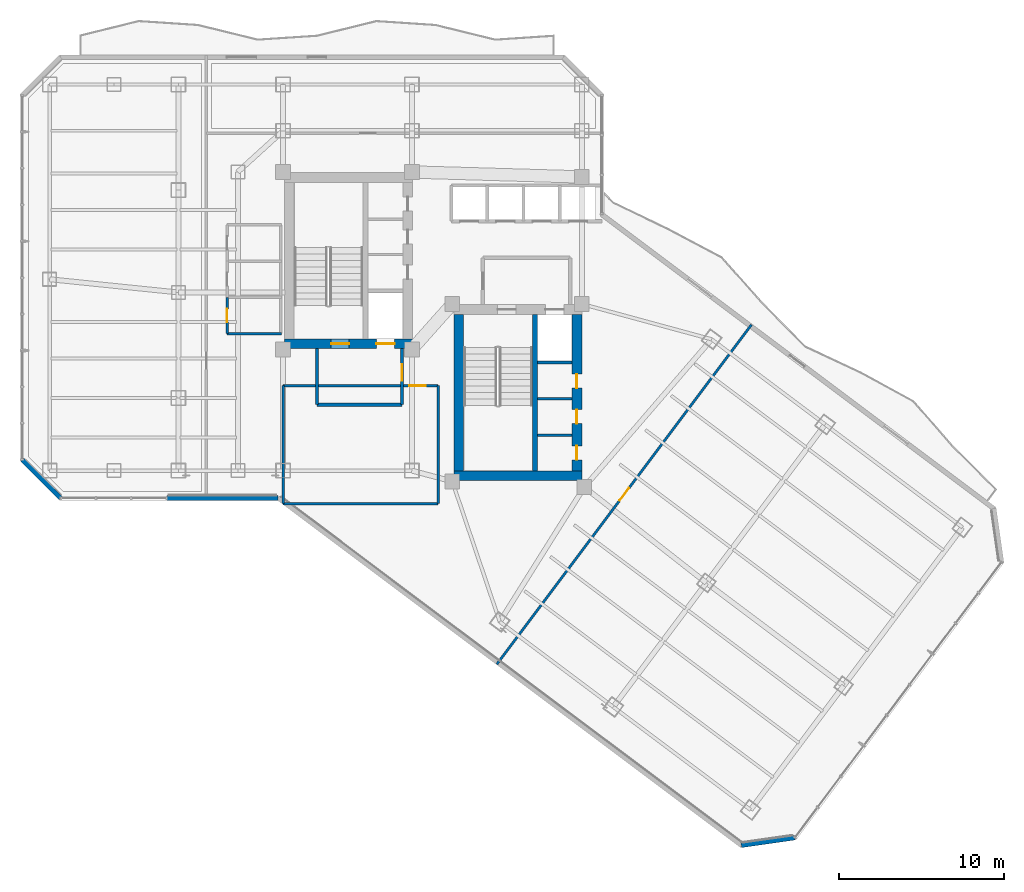
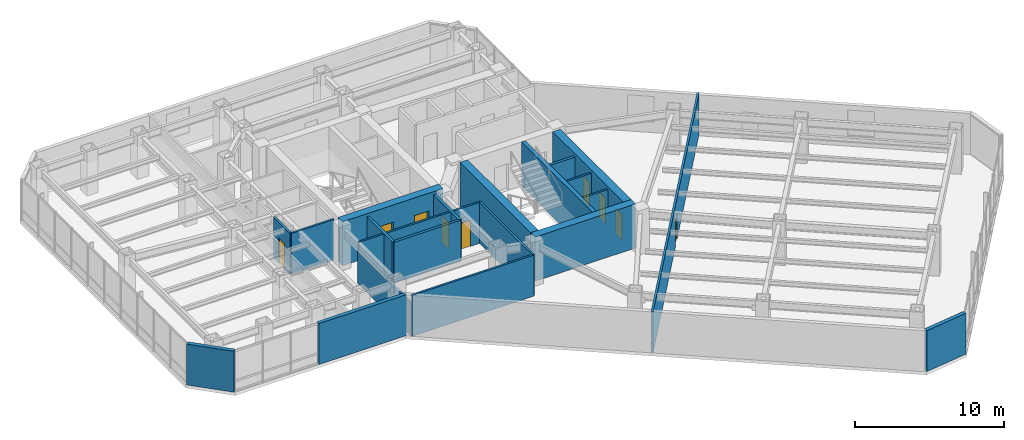
# One storey, part 22 of 29: 21 walls, 9 doors, 9 openings.
"""IFC4 building model written with IfcOpenShell, lengths in metres."""

from ifc_helpers import new_model, si_unit, direction, frame, frame_2d, origin, place, context, subcontext, project, spatial, rectangle, extrude, material, layer, layer_set, type_object, element, fill, save


model = new_model("IFC4")

# Units and contexts
model_context = context("Model", 3, precision=1e-05, world=origin(), true_north=direction((0.0, 1.0)))
body_context = subcontext(model_context, "Body", "Model", "MODEL_VIEW")
ifc_project = project(units=[si_unit("LENGTHUNIT", "METRE"), si_unit("AREAUNIT", "SQUARE_METRE"), si_unit("VOLUMEUNIT", "CUBIC_METRE"), si_unit("PLANEANGLEUNIT", "RADIAN"), si_unit("MASSUNIT", "GRAM", prefix="KILO")], contexts=[model_context])

# Site, building, storey
site_placement = place(None, origin())
site = spatial("IfcSite", under=ifc_project, at=site_placement, CompositionType="ELEMENT")
building_placement = place(site_placement, origin())
building = spatial("IfcBuilding", under=site, at=building_placement, Name="Hatsunagi Terrace Concourse", CompositionType="ELEMENT")
storey_placement = place(building_placement, frame((0.0, 0.0, 115.64990234375)))
storey = spatial("IfcBuildingStorey", under=building, at=storey_placement, Name="L30", CompositionType="ELEMENT", Elevation=115.64990234375)

# Wall, openings, doors
ifc_material_1 = material(Name="Concrete Fc48", Category="concrete")
ifc_layer_1 = layer(ifc_material_1, 0.60009765625)
ifc_layer_set_1 = layer_set([ifc_layer_1], Name="CoreShearWall_Fc48_600")
wall_type_1 = type_object("IfcWallType", Name="CoreShearWall_Fc48_600", PredefinedType="SHEAR", material=ifc_layer_set_1)
wall_1_placement = place(storey_placement, frame((25.6201171875, 32.889892578125, 0.0), z_axis=(0.0, 0.0, 1.0), x_axis=(1.0, 0.0, 0.0)))
wall_1 = element("IfcWall", 1, at=wall_1_placement, inside=storey, type_object=wall_type_1, Name="Core A Shear Wall S L30", PredefinedType="SHEAR", context=body_context, shape_type="SweptSolid", body=[
    extrude(rectangle(XDim=7.77978515625, YDim=0.60009765625, at=frame_2d((3.889892578125, 0.0))), origin(), (0.0, 0.0, 1.0), 3.60009765625),
])
opening_1_placement = place(wall_1_placement, frame((2.830078125, 0.0, 0.0)))
opening_1 = element("IfcOpeningElement", 2, at=opening_1_placement, cuts=wall_1, Name="Opening DR-110S", PredefinedType="OPENING", context=body_context, shape_type="SweptSolid", body=[
    extrude(rectangle(XDim=1.10009765625, YDim=2.199951171875, at=frame_2d((0.550048828125, 1.10009765625))), frame((0.0, 0.31005859375, 0.0), z_axis=(0.0, -1.0, 0.0), x_axis=(1.0, 0.0, 0.0)), (0.0, 0.0, 1.0), 0.6201171875),
])
opening_2_placement = place(wall_1_placement, frame((5.580078125, 0.0, 0.0)))
opening_2 = element("IfcOpeningElement", 3, at=opening_2_placement, cuts=wall_1, Name="Opening LD-01", PredefinedType="OPENING", context=body_context, shape_type="SweptSolid", body=[
    extrude(rectangle(XDim=1.10009765625, YDim=2.14990234375, at=frame_2d((0.550048828125, 1.074951171875))), frame((0.0, 0.31005859375, 0.0), z_axis=(0.0, -1.0, 0.0), x_axis=(1.0, 0.0, 0.0)), (0.0, 0.0, 1.0), 0.6201171875),
])
ifc_material_2 = material(Name="Stainless steel", Category="steel")
door_type_1 = type_object("IfcDoorType", Name="LiftLandingDoor_LD01", OperationType="SLIDING_TO_LEFT", PredefinedType="USERDEFINED", material=ifc_material_2)
door_1_placement = place(opening_2_placement, origin())
door_1 = element("IfcDoor", 4, at=door_1_placement, inside=storey, type_object=door_type_1, Name="Lift landing door FF-01 L30", ObjectType="SLIDING_LANDING_DOOR", OperationType="SLIDING_TO_LEFT", OverallHeight=2.14990234375, OverallWidth=1.10009765625, PredefinedType="USERDEFINED", context=body_context, shape_type="SweptSolid", body=[
    extrude(rectangle(XDim=1.10009765625, YDim=2.14990234375, at=frame_2d((0.550048828125, 1.074951171875))), frame((0.0, 0.02490234375, 0.0), z_axis=(0.0, -1.0, 0.0), x_axis=(1.0, 0.0, 0.0)), (0.0, 0.0, 1.0), 0.050048828125),
])
fill(opening_2, door_1)
ifc_material_3 = material(Name="Painted steel", Category="steel")
door_type_2 = type_object("IfcDoorType", Name="StairFireDoor_EI60_1100", OperationType="NOTDEFINED", PredefinedType="DOOR", material=ifc_material_3)
door_2_placement = place(opening_1_placement, origin())
door_2 = element("IfcDoor", 5, at=door_2_placement, inside=storey, type_object=door_type_2, Name="Stair ST-A Exit Door L30", OperationType="SINGLE_SWING_LEFT", OverallHeight=2.199951171875, OverallWidth=1.10009765625, PredefinedType="DOOR", context=body_context, shape_type="SweptSolid", body=[
    extrude(rectangle(XDim=1.10009765625, YDim=2.199951171875, at=frame_2d((0.550048828125, 1.10009765625))), frame((0.0, 0.02490234375, 0.0), z_axis=(0.0, -1.0, 0.0), x_axis=(1.0, 0.0, 0.0)), (0.0, 0.0, 1.0), 0.050048828125),
])
fill(opening_1, door_2)

# Walls
wall_2_placement = place(storey_placement, frame((35.889892578125, 24.889892578125, 0.0), z_axis=(0.0, 0.0, 1.0), x_axis=(1.0, 0.0, 0.0)))
element("IfcWall", 6, at=wall_2_placement, inside=storey, type_object=wall_type_1, Name="Core B Shear Wall S L30", PredefinedType="SHEAR", context=body_context, shape_type="SweptSolid", body=[
    extrude(rectangle(XDim=7.760009765625, YDim=0.60009765625, at=frame_2d((3.8798828125, 0.0))), origin(), (0.0, 0.0, 1.0), 3.60009765625),
])
wall_3_placement = place(storey_placement, frame((36.18994140625, 25.18994140625, 0.0), z_axis=(0.0, 0.0, 1.0), x_axis=(0.0, 1.0, 0.0)))
element("IfcWall", 7, at=wall_3_placement, inside=storey, type_object=wall_type_1, Name="Core B Shear Wall W L30", PredefinedType="SHEAR", context=body_context, shape_type="SweptSolid", body=[
    extrude(rectangle(XDim=9.47998046875, YDim=0.60009765625, at=frame_2d((4.739990234375, 0.0))), origin(), (0.0, 0.0, 1.0), 3.60009765625),
])

# Wall, openings, doors
wall_4_placement = place(storey_placement, frame((43.35009765625, 25.18994140625, 0.0), z_axis=(0.0, 0.0, 1.0), x_axis=(0.0, 1.0, 0.0)))
wall_4 = element("IfcWall", 8, at=wall_4_placement, inside=storey, type_object=wall_type_1, Name="Core B Shear Wall E L30", PredefinedType="SHEAR", context=body_context, shape_type="SweptSolid", body=[
    extrude(rectangle(XDim=9.47998046875, YDim=0.60009765625, at=frame_2d((4.739990234375, 0.0))), origin(), (0.0, 0.0, 1.0), 3.60009765625),
])
opening_3_placement = place(wall_4_placement, frame((0.659912109375, 0.0, 0.0)))
opening_3 = element("IfcOpeningElement", 9, at=opening_3_placement, cuts=wall_4, Name="Opening DR-085", PredefinedType="OPENING", context=body_context, shape_type="SweptSolid", body=[
    extrude(rectangle(XDim=0.85009765625, YDim=2.080078125, at=frame_2d((0.425048828125, 1.0400390625))), frame((0.0, 0.31005859375, 0.0), z_axis=(0.0, -1.0, 0.0), x_axis=(1.0, 0.0, 0.0)), (0.0, 0.0, 1.0), 0.6201171875),
])
opening_4_placement = place(wall_4_placement, frame((2.860107421875, 0.0, 0.0)))
opening_4 = element("IfcOpeningElement", 10, at=opening_4_placement, cuts=wall_4, Name="Opening DR-085", PredefinedType="OPENING", context=body_context, shape_type="SweptSolid", body=[
    extrude(rectangle(XDim=0.85009765625, YDim=2.080078125, at=frame_2d((0.425048828125, 1.0400390625))), frame((0.0, 0.31005859375, 0.0), z_axis=(0.0, -1.0, 0.0), x_axis=(1.0, 0.0, 0.0)), (0.0, 0.0, 1.0), 0.6201171875),
])
opening_5_placement = place(wall_4_placement, frame((5.010009765625, 0.0, 0.0)))
opening_5 = element("IfcOpeningElement", 11, at=opening_5_placement, cuts=wall_4, Name="Opening DR-085", PredefinedType="OPENING", context=body_context, shape_type="SweptSolid", body=[
    extrude(rectangle(XDim=0.85009765625, YDim=2.080078125, at=frame_2d((0.425048828125, 1.0400390625))), frame((0.0, 0.31005859375, 0.0), z_axis=(0.0, -1.0, 0.0), x_axis=(1.0, 0.0, 0.0)), (0.0, 0.0, 1.0), 0.6201171875),
])
ifc_material_4 = material(Name="Painted steel", Category="steel")
door_type_3 = type_object("IfcDoorType", Name="RiserAccessDoor_EI60_850", OperationType="NOTDEFINED", PredefinedType="DOOR", material=ifc_material_4)
door_3_placement = place(opening_3_placement, origin())
door_3 = element("IfcDoor", 12, at=door_3_placement, inside=storey, type_object=door_type_3, Name="Core B Riser Door L30-1", OperationType="SINGLE_SWING_RIGHT", OverallHeight=2.080078125, OverallWidth=0.85009765625, PredefinedType="DOOR", context=body_context, shape_type="SweptSolid", body=[
    extrude(rectangle(XDim=0.85009765625, YDim=2.080078125, at=frame_2d((0.425048828125, 1.0400390625))), frame((0.0, 0.02490234375, 0.0), z_axis=(0.0, -1.0, 0.0), x_axis=(1.0, 0.0, 0.0)), (0.0, 0.0, 1.0), 0.050048828125),
])
fill(opening_3, door_3)
door_4_placement = place(opening_4_placement, origin())
door_4 = element("IfcDoor", 13, at=door_4_placement, inside=storey, type_object=door_type_3, Name="Core B Riser Door L30-2", OperationType="SINGLE_SWING_RIGHT", OverallHeight=2.080078125, OverallWidth=0.85009765625, PredefinedType="DOOR", context=body_context, shape_type="SweptSolid", body=[
    extrude(rectangle(XDim=0.85009765625, YDim=2.080078125, at=frame_2d((0.425048828125, 1.0400390625))), frame((0.0, 0.02490234375, 0.0), z_axis=(0.0, -1.0, 0.0), x_axis=(1.0, 0.0, 0.0)), (0.0, 0.0, 1.0), 0.050048828125),
])
fill(opening_4, door_4)
door_5_placement = place(opening_5_placement, origin())
door_5 = element("IfcDoor", 14, at=door_5_placement, inside=storey, type_object=door_type_3, Name="Core B Riser Door L30-3", OperationType="SINGLE_SWING_RIGHT", OverallHeight=2.080078125, OverallWidth=0.85009765625, PredefinedType="DOOR", context=body_context, shape_type="SweptSolid", body=[
    extrude(rectangle(XDim=0.85009765625, YDim=2.080078125, at=frame_2d((0.425048828125, 1.0400390625))), frame((0.0, 0.02490234375, 0.0), z_axis=(0.0, -1.0, 0.0), x_axis=(1.0, 0.0, 0.0)), (0.0, 0.0, 1.0), 0.050048828125),
])
fill(opening_5, door_5)

# Walls
ifc_material_5 = material(Name="Concrete Fc48", Category="concrete")
ifc_layer_2 = layer(ifc_material_5, 0.300048828125)
ifc_layer_set_2 = layer_set([ifc_layer_2], Name="CoreStairDivider_Fc48_300")
wall_type_2 = type_object("IfcWallType", Name="CoreStairDivider_Fc48_300", PredefinedType="SHEAR", material=ifc_layer_set_2)
wall_5_placement = place(storey_placement, frame((40.81005859375, 25.18994140625, 0.0), z_axis=(0.0, 0.0, 1.0), x_axis=(0.0, 1.0, 0.0)))
element("IfcWall", 15, at=wall_5_placement, inside=storey, type_object=wall_type_2, Name="Core B Shear Wall D L30", PredefinedType="SHEAR", context=body_context, shape_type="SweptSolid", body=[
    extrude(rectangle(XDim=9.47998046875, YDim=0.300048828125, at=frame_2d((4.739990234375, 0.0))), origin(), (0.0, 0.0, 1.0), 3.60009765625),
])
ifc_material_6 = material(Name="Acoustic mineral board", Category="gypsum")
ifc_layer_3 = layer(ifc_material_6, 0.14990234375)
ifc_layer_set_3 = layer_set([ifc_layer_3], Name="PartitionWall_EI60_150")
wall_type_3 = type_object("IfcWallType", Name="PartitionWall_EI60_150", PredefinedType="PARTITIONING", material=ifc_layer_set_3)
for number, where, z_axis, x_axis, name in (
    (16, (40.969970703125, 27.35009765625, 0.0), (0.0, 0.0, 1.0), (1.0, 0.0, 0.0), "Interior Partition IW-L30-005"),
    (17, (40.969970703125, 29.550048828125, 0.0), (0.0, 0.0, 1.0), (1.0, 0.0, 0.0), "Interior Partition IW-L30-006"),
):
    element("IfcWall", number, at=place(storey_placement, frame(where, z_axis=z_axis, x_axis=x_axis)), inside=storey, type_object=wall_type_3, Name=name, PredefinedType="PARTITIONING", context=body_context, shape_type="SweptSolid", body=[
        extrude(rectangle(XDim=2.080078125, YDim=0.14990234375, at=frame_2d((1.0400390625, 0.0))), origin(), (0.0, 0.0, 1.0), 3.35009765625),
    ])
wall_6_placement = place(storey_placement, frame((22.14990234375, 33.5, 0.0), z_axis=(0.0, 0.0, 1.0), x_axis=(1.0, 0.0, 0.0)))
element("IfcWall", 18, at=wall_6_placement, inside=storey, type_object=wall_type_3, Name="Interior Partition IW-L30-019", PredefinedType="PARTITIONING", context=body_context, shape_type="SweptSolid", body=[
    extrude(rectangle(XDim=3.300048828125, YDim=0.14990234375, at=frame_2d((1.64990234375, 0.0))), origin(), (0.0, 0.0, 1.0), 3.35009765625),
])

# Wall, opening, door
wall_7_placement = place(storey_placement, frame((22.14990234375, 33.5, 0.0), z_axis=(0.0, 0.0, 1.0), x_axis=(0.0, 1.0, 0.0)))
wall_7 = element("IfcWall", 19, at=wall_7_placement, inside=storey, type_object=wall_type_3, Name="Interior Partition IW-L30-024", PredefinedType="PARTITIONING", context=body_context, shape_type="SweptSolid", body=[
    extrude(rectangle(XDim=2.199951171875, YDim=0.14990234375, at=frame_2d((1.10009765625, 0.0))), origin(), (0.0, 0.0, 1.0), 3.35009765625),
])
opening_6_placement = place(wall_7_placement, frame((0.699951171875, 0.0, 0.0)))
opening_6 = element("IfcOpeningElement", 20, at=opening_6_placement, cuts=wall_7, Name="Opening DR-080", PredefinedType="OPENING", context=body_context, shape_type="SweptSolid", body=[
    extrude(rectangle(XDim=0.800048828125, YDim=2.06005859375, at=frame_2d((0.39990234375, 1.030029296875))), frame((0.0, 0.0849609375, 0.0), z_axis=(0.0, -1.0, 0.0), x_axis=(1.0, 0.0, 0.0)), (0.0, 0.0, 1.0), 0.169921875),
])
ifc_material_7 = material(Name="Hardwood timber", Category="wood")
door_type_4 = type_object("IfcDoorType", Name="BathroomDoor_800", OperationType="NOTDEFINED", PredefinedType="DOOR", material=ifc_material_7)
door_6_placement = place(opening_6_placement, origin())
door_6 = element("IfcDoor", 21, at=door_6_placement, inside=storey, type_object=door_type_4, Name="Accessible WC Door L30", OperationType="SINGLE_SWING_RIGHT", OverallHeight=2.06005859375, OverallWidth=0.800048828125, PredefinedType="DOOR", context=body_context, shape_type="SweptSolid", body=[
    extrude(rectangle(XDim=0.800048828125, YDim=2.06005859375, at=frame_2d((0.39990234375, 1.030029296875))), frame((0.0, 0.02490234375, 0.0), z_axis=(0.0, -1.0, 0.0), x_axis=(1.0, 0.0, 0.0)), (0.0, 0.0, 1.0), 0.050048828125),
])
fill(opening_6, door_6)

# Wall
wall_8_placement = place(storey_placement, frame((25.550048828125, 23.199951171875, 0.0), z_axis=(0.0, 0.0, 1.0), x_axis=(1.0, 0.0, 0.0)))
element("IfcWall", 22, at=wall_8_placement, inside=storey, type_object=wall_type_3, Name="Interior Partition IW-L30-027", PredefinedType="PARTITIONING", context=body_context, shape_type="SweptSolid", body=[
    extrude(rectangle(XDim=9.39990234375, YDim=0.14990234375, at=frame_2d((4.699951171875, 0.0))), origin(), (0.0, 0.0, 1.0), 3.35009765625),
])

# Wall, opening, door
wall_9_placement = place(storey_placement, frame((25.550048828125, 30.35009765625, 0.0), z_axis=(0.0, 0.0, 1.0), x_axis=(1.0, 0.0, 0.0)))
wall_9 = element("IfcWall", 23, at=wall_9_placement, inside=storey, type_object=wall_type_3, Name="Interior Partition IW-L30-028", PredefinedType="PARTITIONING", context=body_context, shape_type="SweptSolid", body=[
    extrude(rectangle(XDim=9.39990234375, YDim=0.14990234375, at=frame_2d((4.699951171875, 0.0))), origin(), (0.0, 0.0, 1.0), 3.35009765625),
])
opening_7_placement = place(wall_9_placement, frame((7.637939453125, 0.0, 0.0)))
opening_7 = element("IfcOpeningElement", 24, at=opening_7_placement, cuts=wall_9, Name="Opening DR-100S", PredefinedType="OPENING", context=body_context, shape_type="SweptSolid", body=[
    extrude(rectangle(XDim=1.0, YDim=2.14990234375, at=frame_2d((0.5, 1.074951171875))), frame((0.0, 0.0849609375, 0.0), z_axis=(0.0, -1.0, 0.0), x_axis=(1.0, 0.0, 0.0)), (0.0, 0.0, 1.0), 0.169921875),
])
ifc_material_8 = material(Name="Hardwood timber", Category="wood")
door_type_5 = type_object("IfcDoorType", Name="SuiteDoor_EI30_1000", OperationType="NOTDEFINED", PredefinedType="DOOR", material=ifc_material_8)
door_7_placement = place(opening_7_placement, origin())
door_7 = element("IfcDoor", 25, at=door_7_placement, inside=storey, type_object=door_type_5, Name="Design Studio L30-RECL1 Door", OperationType="SINGLE_SWING_RIGHT", OverallHeight=2.14990234375, OverallWidth=1.0, PredefinedType="DOOR", context=body_context, shape_type="SweptSolid", body=[
    extrude(rectangle(XDim=1.0, YDim=2.14990234375, at=frame_2d((0.5, 1.074951171875))), frame((0.0, 0.02490234375, 0.0), z_axis=(0.0, -1.0, 0.0), x_axis=(1.0, 0.0, 0.0)), (0.0, 0.0, 1.0), 0.050048828125),
])
fill(opening_7, door_7)

# Walls
wall_10_placement = place(storey_placement, frame((25.550048828125, 23.199951171875, 0.0), z_axis=(0.0, 0.0, 1.0), x_axis=(0.0, 1.0, 0.0)))
element("IfcWall", 26, at=wall_10_placement, inside=storey, type_object=wall_type_3, Name="Interior Partition IW-L30-029", PredefinedType="PARTITIONING", context=body_context, shape_type="SweptSolid", body=[
    extrude(rectangle(XDim=7.150146484375, YDim=0.14990234375, at=frame_2d((3.5751953125, 0.0))), origin(), (0.0, 0.0, 1.0), 2.695068359375),
])
wall_11_placement = place(storey_placement, frame((34.949951171875, 23.199951171875, 0.0), z_axis=(0.0, 0.0, 1.0), x_axis=(0.0, 1.0, 0.0)))
element("IfcWall", 27, at=wall_11_placement, inside=storey, type_object=wall_type_3, Name="Interior Partition IW-L30-030", PredefinedType="PARTITIONING", context=body_context, shape_type="SweptSolid", body=[
    extrude(rectangle(XDim=7.150146484375, YDim=0.14990234375, at=frame_2d((3.5751953125, 0.0))), origin(), (0.0, 0.0, 1.0), 3.35009765625),
])

# Wall, opening, door
wall_12_placement = place(storey_placement, frame((38.50390625, 13.471923828125, 0.0), z_axis=(0.0, 0.0, 1.0), x_axis=(0.6, 0.8, 0.0)))
wall_12 = element("IfcWall", 28, at=wall_12_placement, inside=storey, type_object=wall_type_3, Name="Interior Partition IW-L30-033", PredefinedType="PARTITIONING", context=body_context, shape_type="SweptSolid", body=[
    extrude(rectangle(XDim=25.72021484375, YDim=0.14990234375, at=frame_2d((12.860107421875, 0.0))), origin(), (0.0, 0.0, 1.0), 3.35009765625),
])
opening_8_placement = place(wall_12_placement, frame((12.385009765625, 0.0, 0.0)))
opening_8 = element("IfcOpeningElement", 29, at=opening_8_placement, cuts=wall_12, Name="Opening DR-095", PredefinedType="OPENING", context=body_context, shape_type="SweptSolid", body=[
    extrude(rectangle(XDim=0.949951171875, YDim=2.14990234375, at=frame_2d((0.47509765625, 1.074951171875))), frame((0.0, 0.0849609375, 0.0), z_axis=(0.0, -1.0, 0.0), x_axis=(1.0, 0.0, 0.0)), (0.0, 0.0, 1.0), 0.169921875),
])
ifc_material_9 = material(Name="Hardwood timber", Category="wood")
door_type_6 = type_object("IfcDoorType", Name="InteriorSuiteDoor_EI30_950", OperationType="NOTDEFINED", PredefinedType="DOOR", material=ifc_material_9)
door_8_placement = place(opening_8_placement, origin())
door_8 = element("IfcDoor", 30, at=door_8_placement, inside=storey, type_object=door_type_6, Name="Design Studio L30-OSE1 Door", OperationType="SINGLE_SWING_RIGHT", OverallHeight=2.14990234375, OverallWidth=0.949951171875, PredefinedType="DOOR", context=body_context, shape_type="SweptSolid", body=[
    extrude(rectangle(XDim=0.949951171875, YDim=2.14990234375, at=frame_2d((0.47509765625, 1.074951171875))), frame((0.0, 0.02490234375, 0.0), z_axis=(0.0, -1.0, 0.0), x_axis=(1.0, 0.0, 0.0)), (0.0, 0.0, 1.0), 0.050048828125),
])
fill(opening_8, door_8)

# Walls
ifc_material_10 = material(Name="Acoustic mineral board", Category="gypsum")
ifc_layer_4 = layer(ifc_material_10, 0.199951171875)
ifc_layer_set_4 = layer_set([ifc_layer_4], Name="ShaftWall_EI120_200")
wall_type_4 = type_object("IfcWallType", Name="ShaftWall_EI120_200", PredefinedType="STANDARD", material=ifc_layer_set_4)
wall_13_placement = place(storey_placement, frame((40.969970703125, 31.760009765625, 0.0), z_axis=(0.0, 0.0, 1.0), x_axis=(1.0, 0.0, 0.0)))
element("IfcWall", 31, at=wall_13_placement, inside=storey, type_object=wall_type_4, Name="Interior Partition IW-L30-004", PredefinedType="STANDARD", context=body_context, shape_type="SweptSolid", body=[
    extrude(rectangle(XDim=2.080078125, YDim=0.199951171875, at=frame_2d((1.0400390625, 0.0))), origin(), (0.0, 0.0, 1.0), 3.35009765625),
])
wall_14_placement = place(storey_placement, frame((27.60009765625, 29.199951171875, 0.0), z_axis=(0.0, 0.0, 1.0), x_axis=(1.0, 0.0, 0.0)))
element("IfcWall", 32, at=wall_14_placement, inside=storey, type_object=wall_type_4, Name="Interior Partition IW-L30-007", PredefinedType="STANDARD", context=body_context, shape_type="SweptSolid", body=[
    extrude(rectangle(XDim=5.14990234375, YDim=0.199951171875, at=frame_2d((2.574951171875, 0.0))), origin(), (0.0, 0.0, 1.0), 3.35009765625),
])
wall_15_placement = place(storey_placement, frame((27.60009765625, 29.199951171875, 0.0), z_axis=(0.0, 0.0, 1.0), x_axis=(0.0, 1.0, 0.0)))
element("IfcWall", 33, at=wall_15_placement, inside=storey, type_object=wall_type_4, Name="Interior Partition IW-L30-008", PredefinedType="STANDARD", context=body_context, shape_type="SweptSolid", body=[
    extrude(rectangle(XDim=3.39013671875, YDim=0.199951171875, at=frame_2d((1.695068359375, 0.0))), origin(), (0.0, 0.0, 1.0), 3.35009765625),
])

# Wall, opening, door
wall_16_placement = place(storey_placement, frame((32.75, 29.199951171875, 0.0), z_axis=(0.0, 0.0, 1.0), x_axis=(0.0, 1.0, 0.0)))
wall_16 = element("IfcWall", 34, at=wall_16_placement, inside=storey, type_object=wall_type_4, Name="Interior Partition IW-L30-009", PredefinedType="STANDARD", context=body_context, shape_type="SweptSolid", body=[
    extrude(rectangle(XDim=3.39013671875, YDim=0.199951171875, at=frame_2d((1.695068359375, 0.0))), origin(), (0.0, 0.0, 1.0), 3.35009765625),
])
opening_9_placement = place(wall_16_placement, frame((1.449951171875, 0.0, 0.0)))
opening_9 = element("IfcOpeningElement", 35, at=opening_9_placement, cuts=wall_16, Name="Opening DR-100F", PredefinedType="OPENING", context=body_context, shape_type="SweptSolid", body=[
    extrude(rectangle(XDim=1.0, YDim=2.199951171875, at=frame_2d((0.5, 1.10009765625))), frame((0.0, 0.10986328125, 0.0), z_axis=(0.0, -1.0, 0.0), x_axis=(1.0, 0.0, 0.0)), (0.0, 0.0, 1.0), 0.219970703125),
])
ifc_material_11 = material(Name="Painted steel", Category="steel")
door_type_7 = type_object("IfcDoorType", Name="FireDoor_EI60_1000", OperationType="NOTDEFINED", PredefinedType="DOOR", material=ifc_material_11)
door_9_placement = place(opening_9_placement, origin())
door_9 = element("IfcDoor", 36, at=door_9_placement, inside=storey, type_object=door_type_7, Name="Firefighting Lobby A Door L30", OperationType="SINGLE_SWING_RIGHT", OverallHeight=2.199951171875, OverallWidth=1.0, PredefinedType="DOOR", context=body_context, shape_type="SweptSolid", body=[
    extrude(rectangle(XDim=1.0, YDim=2.199951171875, at=frame_2d((0.5, 1.10009765625))), frame((0.0, 0.02490234375, 0.0), z_axis=(0.0, -1.0, 0.0), x_axis=(1.0, 0.0, 0.0)), (0.0, 0.0, 1.0), 0.050048828125),
])
fill(opening_9, door_9)

# Walls
ifc_material_12 = material(Name="Autoclaved Lightweight Concrete and Terracotta Cladding", Category="masonry")
ifc_layer_5 = layer(ifc_material_12, 0.280029296875)
ifc_layer_set_5 = layer_set([ifc_layer_5], Name="TerracottaSpandrelWall_280")
wall_type_5 = type_object("IfcWallType", Name="TerracottaSpandrelWall_280", PredefinedType="STANDARD", material=ifc_layer_set_5)
wall_17_placement = place(storey_placement, frame((56.56298828125, 2.949951171875, 0.0), z_axis=(0.0, 0.0, 1.0), x_axis=(-0.989977778067, -0.141223223777, 0.0)))
element("IfcWall", 37, at=wall_17_placement, inside=storey, type_object=wall_type_5, Name="Exterior Spandrel Wall EW-L30-04", PredefinedType="STANDARD", context=body_context, shape_type="SweptSolid", body=[
    extrude(rectangle(XDim=3.27783203125, YDim=0.280029296875, at=frame_2d((1.638916015625, 0.0))), origin(), (0.0, 0.0, 1.0), 3.35009765625),
])
wall_18_placement = place(storey_placement, frame((25.2470703125, 23.5400390625, 0.0), z_axis=(0.0, 0.0, 1.0), x_axis=(-1.0, 0.0, 0.0)))
element("IfcWall", 38, at=wall_18_placement, inside=storey, type_object=wall_type_5, Name="Exterior Spandrel Wall EW-L30-06", PredefinedType="STANDARD", context=body_context, shape_type="SweptSolid", body=[
    extrude(rectangle(XDim=6.7470703125, YDim=0.280029296875, at=frame_2d((3.37353515625, 0.0))), origin(), (0.0, 0.0, 1.0), 3.35009765625),
])
wall_19_placement = place(storey_placement, frame((12.05810546875, 23.5400390625, 0.0), z_axis=(0.0, 0.0, 1.0), x_axis=(-0.707144017911, 0.707069542501, 0.0)))
element("IfcWall", 39, at=wall_19_placement, inside=storey, type_object=wall_type_5, Name="Exterior Spandrel Wall EW-L30-08", PredefinedType="STANDARD", context=body_context, shape_type="SweptSolid", body=[
    extrude(rectangle(XDim=3.278076171875, YDim=0.280029296875, at=frame_2d((1.63916015625, 0.0))), origin(), (0.0, 0.0, 1.0), 3.35009765625),
])

save(model, "model.ifc")
